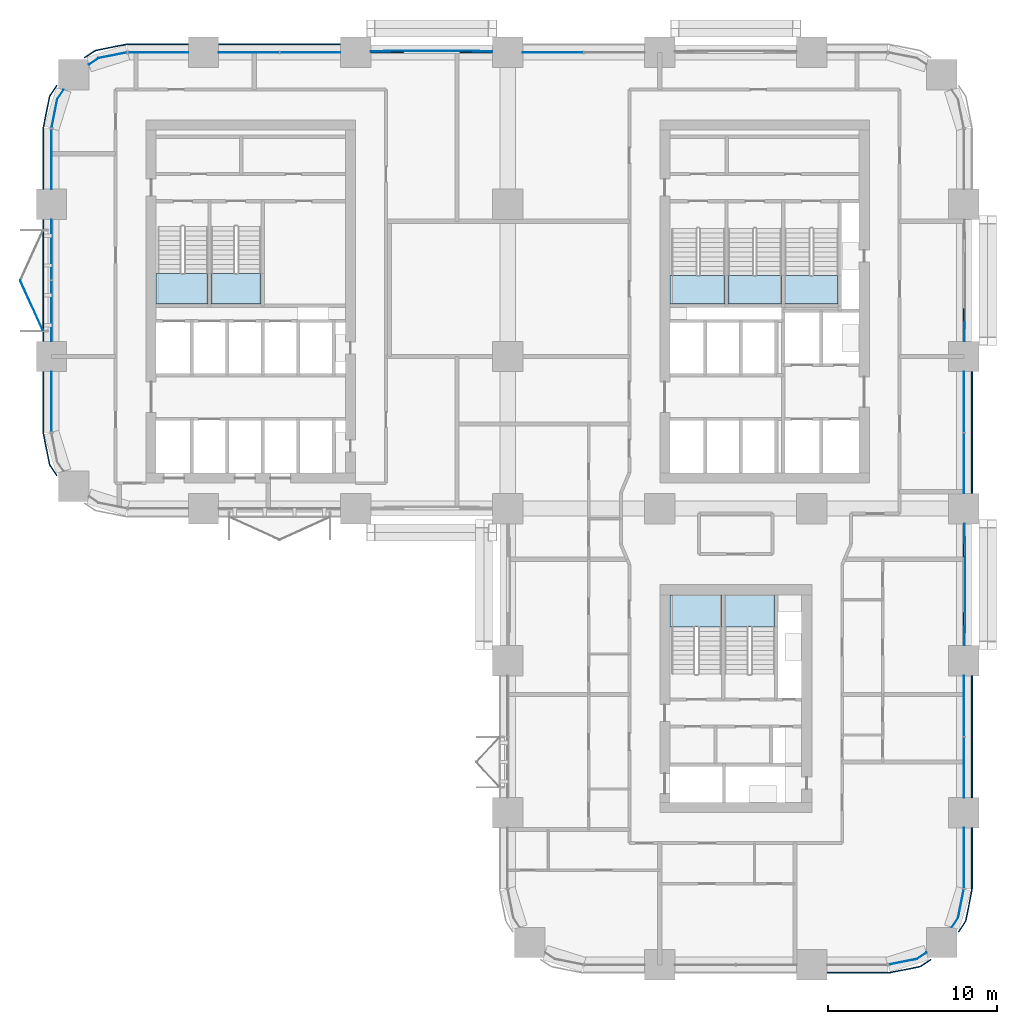
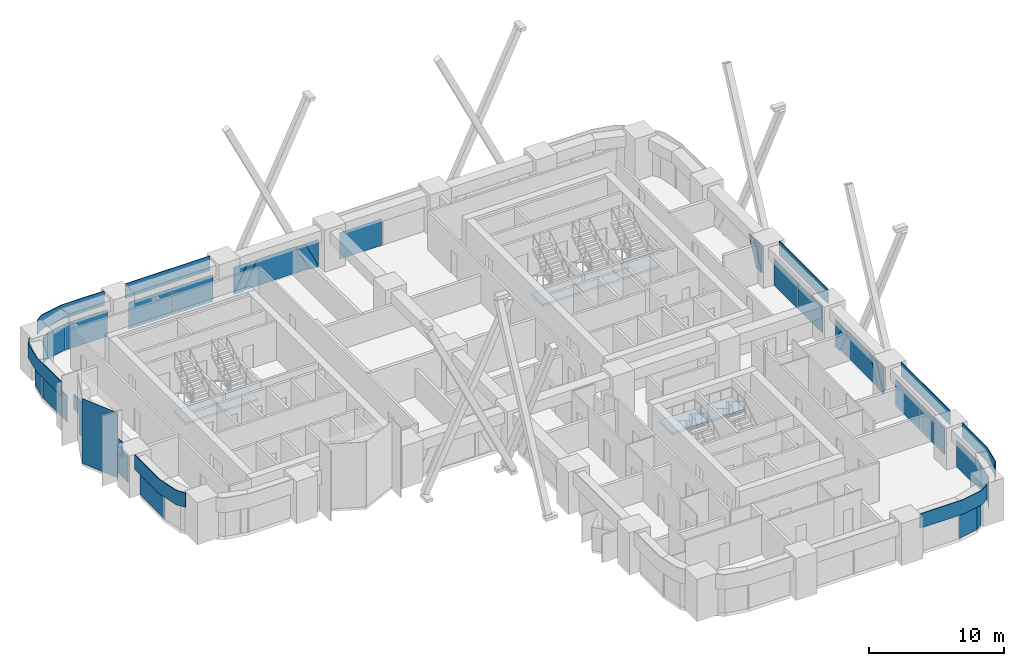
# One storey, part 10 of 19: 39 plates, 7 slabs, 20 elements without a shape of their own.
"""IFC4 building model written with IfcOpenShell, lengths in metres."""

from ifc_helpers import new_model, si_unit, direction, frame, origin, origin_2d, place, context, subcontext, project, spatial, polyline, rectangle, outline, extrude, material, layer, layer_set, type_object, element, aggregate, save


model = new_model("IFC4")

# Units and contexts
model_context = context("Model", 3, precision=1e-05, world=origin(), true_north=direction((0.0, 1.0)))
body_context = subcontext(model_context, "Body", "Model", "MODEL_VIEW")
ifc_project = project(units=[si_unit("LENGTHUNIT", "METRE"), si_unit("AREAUNIT", "SQUARE_METRE"), si_unit("VOLUMEUNIT", "CUBIC_METRE"), si_unit("PLANEANGLEUNIT", "RADIAN"), si_unit("MASSUNIT", "GRAM", prefix="KILO")], contexts=[model_context])

# Site, building, storey
site_placement = place(None, origin())
site = spatial("IfcSite", under=ifc_project, at=site_placement, CompositionType="ELEMENT")
building_placement = place(site_placement, origin())
building = spatial("IfcBuilding", under=site, at=building_placement, Name="Tessera Arch", CompositionType="ELEMENT")
storey_placement = place(building_placement, frame((0.0, 0.0, 108.199951171875)))
storey = spatial("IfcBuildingStorey", under=building, at=storey_placement, Name="L25", CompositionType="ELEMENT", Elevation=108.199951171875)

# Curtain wall, plate
ifc_material_1 = material(Name="CW1 curtain wall")
curtain_wall_type_1 = type_object("IfcCurtainWallType", Name="CW1 curtain wall", PredefinedType="NOTDEFINED", material=ifc_material_1)
curtain_wall_1_placement = place(storey_placement, origin())
curtain_wall_1 = element("IfcCurtainWall", 1, at=curtain_wall_1_placement, inside=storey, type_object=curtain_wall_type_1, Name="CW1 curtain wall N54.0/1 L25", PredefinedType="NOTDEFINED")
ifc_material_2 = material(Name="Clear low-e glass", Category="glass")
ifc_material_3 = material(Name="Clear low-e glass", Category="glass")
ifc_layer_1 = layer(ifc_material_3, 0.028076171875)
ifc_layer_set_1 = layer_set([ifc_layer_1], Name="CW1 glass panel")
plate_type_1 = type_object("IfcPlateType", Name="CW1 glass panel", PredefinedType="CURTAIN_PANEL", material=ifc_layer_set_1)
plate_1_placement = place(storey_placement, frame((29.68505859375, 54.0, 0.0), z_axis=(0.0, 0.0, 1.0), x_axis=(-1.0, 0.0, 0.0)))
plate_1 = element("IfcPlate", 2, at=plate_1_placement, type_object=plate_type_1, material=ifc_material_2, Name="CW1 glass panel N54.0/1 1.2.1", PredefinedType="CURTAIN_PANEL", context=body_context, shape_type="SweptSolid", body=[
    extrude(rectangle(XDim=3.570068359375, YDim=0.028076171875, at=origin_2d()), origin(), (0.0, 0.0, 1.0), 2.39990234375),
])
aggregate(curtain_wall_1, [plate_1])

# Curtain wall, plates
curtain_wall_2_placement = place(storey_placement, origin())
curtain_wall_2 = element("IfcCurtainWall", 3, at=curtain_wall_2_placement, inside=storey, type_object=curtain_wall_type_1, Name="CW1 curtain wall N54.0/3 L25", PredefinedType="NOTDEFINED")
plate_2_placement = place(storey_placement, frame((15.31494140625, 54.0, 0.0), z_axis=(0.0, 0.0, 1.0), x_axis=(-1.0, 0.0, 0.0)))
plate_2 = element("IfcPlate", 4, at=plate_2_placement, type_object=plate_type_1, material=ifc_material_2, Name="CW1 glass panel N54.0/3 1.1.1", PredefinedType="CURTAIN_PANEL", context=body_context, shape_type="SweptSolid", body=[
    extrude(rectangle(XDim=3.570068359375, YDim=0.028076171875, at=origin_2d()), origin(), (0.0, 0.0, 1.0), 2.39990234375),
])
plate_3_placement = place(storey_placement, frame((11.68505859375, 54.0, 0.0), z_axis=(0.0, 0.0, 1.0), x_axis=(-1.0, 0.0, 0.0)))
plate_3 = element("IfcPlate", 5, at=plate_3_placement, type_object=plate_type_1, material=ifc_material_2, Name="CW1 glass panel N54.0/3 1.2.1", PredefinedType="CURTAIN_PANEL", context=body_context, shape_type="SweptSolid", body=[
    extrude(rectangle(XDim=3.570068359375, YDim=0.028076171875, at=origin_2d()), origin(), (0.0, 0.0, 1.0), 2.39990234375),
])

curtain_wall_3_placement = place(storey_placement, origin())
curtain_wall_3 = element("IfcCurtainWall", 6, at=curtain_wall_3_placement, inside=storey, type_object=curtain_wall_type_1, Name="CW1 curtain wall W0.27/1 L25", PredefinedType="NOTDEFINED")
plate_4_placement = place(storey_placement, frame((0.0, 42.31494140625, 0.0), z_axis=(0.0, 0.0, 1.0), x_axis=(0.0, -1.0, 0.0)))
plate_4 = element("IfcPlate", 7, at=plate_4_placement, type_object=plate_type_1, material=ifc_material_2, Name="CW1 glass panel W0.27/1 1.1.1", PredefinedType="CURTAIN_PANEL", context=body_context, shape_type="SweptSolid", body=[
    extrude(rectangle(XDim=3.570068359375, YDim=0.028076171875, at=origin_2d()), origin(), (0.0, 0.0, 1.0), 2.39990234375),
])
plate_5_placement = place(storey_placement, frame((0.0, 38.68505859375, 0.0), z_axis=(0.0, 0.0, 1.0), x_axis=(0.0, -1.0, 0.0)))
plate_5 = element("IfcPlate", 8, at=plate_5_placement, type_object=plate_type_1, material=ifc_material_2, Name="CW1 glass panel W0.27/1 1.2.1", PredefinedType="CURTAIN_PANEL", context=body_context, shape_type="SweptSolid", body=[
    extrude(rectangle(XDim=3.570068359375, YDim=0.028076171875, at=origin_2d()), origin(), (0.0, 0.0, 1.0), 2.39990234375),
])

curtain_wall_4_placement = place(storey_placement, origin())
curtain_wall_4 = element("IfcCurtainWall", 9, at=curtain_wall_4_placement, inside=storey, type_object=curtain_wall_type_1, Name="CW1 curtain wall E54.0/1 L25", PredefinedType="NOTDEFINED")
plate_6_placement = place(storey_placement, frame((54.0, 11.68505859375, 0.0), z_axis=(0.0, 0.0, 1.0), x_axis=(0.0, 1.0, 0.0)))
plate_6 = element("IfcPlate", 10, at=plate_6_placement, type_object=plate_type_1, material=ifc_material_2, Name="CW1 glass panel E54.0/1 1.1.1", PredefinedType="CURTAIN_PANEL", context=body_context, shape_type="SweptSolid", body=[
    extrude(rectangle(XDim=3.570068359375, YDim=0.028076171875, at=origin_2d()), origin(), (0.0, 0.0, 1.0), 2.39990234375),
])
plate_7_placement = place(storey_placement, frame((54.0, 15.31494140625, 0.0), z_axis=(0.0, 0.0, 1.0), x_axis=(0.0, 1.0, 0.0)))
plate_7 = element("IfcPlate", 11, at=plate_7_placement, type_object=plate_type_1, material=ifc_material_2, Name="CW1 glass panel E54.0/1 1.2.1", PredefinedType="CURTAIN_PANEL", context=body_context, shape_type="SweptSolid", body=[
    extrude(rectangle(XDim=3.570068359375, YDim=0.028076171875, at=origin_2d()), origin(), (0.0, 0.0, 1.0), 2.39990234375),
])

curtain_wall_5_placement = place(storey_placement, origin())
curtain_wall_5 = element("IfcCurtainWall", 12, at=curtain_wall_5_placement, inside=storey, type_object=curtain_wall_type_1, Name="CW1 curtain wall E54.0/3 L25", PredefinedType="NOTDEFINED")
plate_8_placement = place(storey_placement, frame((54.0, 29.68505859375, 0.0), z_axis=(0.0, 0.0, 1.0), x_axis=(0.0, 1.0, 0.0)))
plate_8 = element("IfcPlate", 13, at=plate_8_placement, type_object=plate_type_1, material=ifc_material_2, Name="CW1 glass panel E54.0/3 1.1.1", PredefinedType="CURTAIN_PANEL", context=body_context, shape_type="SweptSolid", body=[
    extrude(rectangle(XDim=3.570068359375, YDim=0.028076171875, at=origin_2d()), origin(), (0.0, 0.0, 1.0), 2.39990234375),
])
plate_9_placement = place(storey_placement, frame((54.0, 33.31494140625, 0.0), z_axis=(0.0, 0.0, 1.0), x_axis=(0.0, 1.0, 0.0)))
plate_9 = element("IfcPlate", 14, at=plate_9_placement, type_object=plate_type_1, material=ifc_material_2, Name="CW1 glass panel E54.0/3 1.2.1", PredefinedType="CURTAIN_PANEL", context=body_context, shape_type="SweptSolid", body=[
    extrude(rectangle(XDim=3.570068359375, YDim=0.028076171875, at=origin_2d()), origin(), (0.0, 0.0, 1.0), 2.39990234375),
])

# Plate
ifc_material_4 = material(Name="Pale anodised aluminium panel", Category="aluminium")
ifc_layer_2 = layer(ifc_material_4, 0.06005859375)
ifc_layer_set_2 = layer_set([ifc_layer_2], Name="CW1 spandrel panel")
plate_type_2 = type_object("IfcPlateType", Name="CW1 spandrel panel", PredefinedType="CURTAIN_PANEL", material=ifc_layer_set_2)
plate_10_placement = place(storey_placement, frame((13.5, 54.47998046875, 2.5), z_axis=(0.0, 0.0, 1.0), x_axis=(-1.0, 0.0, 0.0)))
plate_10 = element("IfcPlate", 15, at=plate_10_placement, type_object=plate_type_2, Name="CW1 spandrel panel N54.0/3", PredefinedType="CURTAIN_PANEL", context=body_context, shape_type="SweptSolid", body=[
    extrude(rectangle(XDim=7.199951171875, YDim=0.06005859375, at=origin_2d()), origin(), (0.0, 0.0, 1.0), 1.300048828125),
])

aggregate(curtain_wall_2, [plate_2, plate_3, plate_10])

plate_11_placement = place(storey_placement, frame((-0.47998046875, 40.5, 2.5), z_axis=(0.0, 0.0, 1.0), x_axis=(0.0, -1.0, 0.0)))
plate_11 = element("IfcPlate", 16, at=plate_11_placement, type_object=plate_type_2, Name="CW1 spandrel panel W0.27/1", PredefinedType="CURTAIN_PANEL", context=body_context, shape_type="SweptSolid", body=[
    extrude(rectangle(XDim=7.199951171875, YDim=0.06005859375, at=origin_2d()), origin(), (0.0, 0.0, 1.0), 1.300048828125),
])

aggregate(curtain_wall_3, [plate_4, plate_5, plate_11])

plate_12_placement = place(storey_placement, frame((54.47998046875, 13.5, 2.5), z_axis=(0.0, 0.0, 1.0), x_axis=(0.0, 1.0, 0.0)))
plate_12 = element("IfcPlate", 17, at=plate_12_placement, type_object=plate_type_2, Name="CW1 spandrel panel E54.0/1", PredefinedType="CURTAIN_PANEL", context=body_context, shape_type="SweptSolid", body=[
    extrude(rectangle(XDim=7.199951171875, YDim=0.06005859375, at=origin_2d()), origin(), (0.0, 0.0, 1.0), 1.300048828125),
])

aggregate(curtain_wall_4, [plate_6, plate_7, plate_12])

plate_13_placement = place(storey_placement, frame((54.47998046875, 31.5, 2.5), z_axis=(0.0, 0.0, 1.0), x_axis=(0.0, 1.0, 0.0)))
plate_13 = element("IfcPlate", 18, at=plate_13_placement, type_object=plate_type_2, Name="CW1 spandrel panel E54.0/3", PredefinedType="CURTAIN_PANEL", context=body_context, shape_type="SweptSolid", body=[
    extrude(rectangle(XDim=7.199951171875, YDim=0.06005859375, at=origin_2d()), origin(), (0.0, 0.0, 1.0), 1.300048828125),
])

aggregate(curtain_wall_5, [plate_8, plate_9, plate_13])

# Curtain wall, plates
ifc_material_5 = material(Name="CW2 curtain wall")
curtain_wall_type_2 = type_object("IfcCurtainWallType", Name="CW2 curtain wall", PredefinedType="NOTDEFINED", material=ifc_material_5)
curtain_wall_6_placement = place(storey_placement, origin())
curtain_wall_6 = element("IfcCurtainWall", 19, at=curtain_wall_6_placement, inside=storey, type_object=curtain_wall_type_2, Name="CW2 curtain wall N54.0/4 L25", PredefinedType="NOTDEFINED")
ifc_material_6 = material(Name="Clear low-e glass", Category="glass")
ifc_layer_3 = layer(ifc_material_6, 0.028076171875)
ifc_layer_set_3 = layer_set([ifc_layer_3], Name="CW2 glass panel")
plate_type_3 = type_object("IfcPlateType", Name="CW2 glass panel", PredefinedType="CURTAIN_PANEL", material=ifc_layer_set_3)
plate_14_placement = place(storey_placement, frame((6.320068359375, 54.0, 0.0), z_axis=(0.0, 0.0, 1.0), x_axis=(-1.0, 0.0, 0.0)))
plate_14 = element("IfcPlate", 20, at=plate_14_placement, type_object=plate_type_3, material=ifc_material_2, Name="CW2 glass panel N54.0/4 1.1", PredefinedType="CURTAIN_PANEL", context=body_context, shape_type="SweptSolid", body=[
    extrude(rectangle(XDim=3.56005859375, YDim=0.028076171875, at=origin_2d()), origin(), (0.0, 0.0, 1.0), 2.39990234375),
])
plate_15_placement = place(storey_placement, origin())
plate_15 = element("IfcPlate", 21, at=plate_15_placement, type_object=plate_type_3, material=ifc_material_2, Name="CW2 curved glass panel N54.0/4 2.1", PredefinedType="CURTAIN_PANEL", context=body_context, shape_type="SweptSolid", body=[
    extrude(outline(polyline([(2.783447265625, 53.644287109375), (4.46337890625, 53.978515625), (4.4580078125, 54.005859375), (2.7724609375, 53.670654296875), (2.210205078125, 53.294921875), (2.225830078125, 53.271728515625), (2.783447265625, 53.644287109375)])), origin(), (0.0, 0.0, 1.0), 2.400146484375),
])

curtain_wall_7_placement = place(storey_placement, origin())
curtain_wall_7 = element("IfcCurtainWall", 22, at=curtain_wall_7_placement, inside=storey, type_object=curtain_wall_type_2, Name="CW2 curtain wall W0.27/0 L25", PredefinedType="NOTDEFINED")
plate_16_placement = place(storey_placement, frame((0.0, 47.679931640625, 0.0), z_axis=(0.0, 0.0, 1.0), x_axis=(0.0, -1.0, 0.0)))
plate_16 = element("IfcPlate", 23, at=plate_16_placement, type_object=plate_type_3, material=ifc_material_2, Name="CW2 glass panel W0.27/0 1.1", PredefinedType="CURTAIN_PANEL", context=body_context, shape_type="SweptSolid", body=[
    extrude(rectangle(XDim=3.56005859375, YDim=0.028076171875, at=origin_2d()), origin(), (0.0, 0.0, 1.0), 2.39990234375),
])
plate_17_placement = place(storey_placement, origin())
plate_17 = element("IfcPlate", 24, at=plate_17_placement, type_object=plate_type_3, material=ifc_material_2, Name="CW2 curved glass panel W0.27/0 2.1", PredefinedType="CURTAIN_PANEL", context=body_context, shape_type="SweptSolid", body=[
    extrude(outline(polyline([(0.355712890625, 51.216552734375), (0.728271484375, 51.774169921875), (0.705078125, 51.789794921875), (0.329345703125, 51.2275390625), (-0.005859375, 49.5419921875), (0.021484375, 49.53662109375), (0.355712890625, 51.216552734375)])), origin(), (0.0, 0.0, 1.0), 2.400146484375),
])

# Curtain wall, plate
curtain_wall_8_placement = place(storey_placement, origin())
curtain_wall_8 = element("IfcCurtainWall", 25, at=curtain_wall_8_placement, inside=storey, type_object=curtain_wall_type_2, Name="CW2 curtain wall W0.27/2 L25", PredefinedType="NOTDEFINED")
plate_18_placement = place(storey_placement, frame((0.0, 33.320068359375, 0.0), z_axis=(0.0, 0.0, 1.0), x_axis=(0.0, -1.0, 0.0)))
plate_18 = element("IfcPlate", 26, at=plate_18_placement, type_object=plate_type_3, material=ifc_material_2, Name="CW2 glass panel W0.27/2 1.1", PredefinedType="CURTAIN_PANEL", context=body_context, shape_type="SweptSolid", body=[
    extrude(rectangle(XDim=3.56005859375, YDim=0.028076171875, at=origin_2d()), origin(), (0.0, 0.0, 1.0), 2.39990234375),
])

curtain_wall_9_placement = place(storey_placement, origin())
curtain_wall_9 = element("IfcCurtainWall", 27, at=curtain_wall_9_placement, inside=storey, type_object=curtain_wall_type_2, Name="CW2 curtain wall S0.27/2 L25", PredefinedType="NOTDEFINED")
plate_19_placement = place(storey_placement, origin())
plate_19 = element("IfcPlate", 28, at=plate_19_placement, type_object=plate_type_3, material=ifc_material_2, Name="CW2 curved glass panel S0.27/2 2.1", PredefinedType="CURTAIN_PANEL", context=body_context, shape_type="SweptSolid", body=[
    extrude(outline(polyline([(51.216552734375, 0.355712890625), (49.53662109375, 0.021484375), (49.5419921875, -0.005859375), (51.2275390625, 0.329345703125), (51.789794921875, 0.705078125), (51.774169921875, 0.728271484375), (51.216552734375, 0.355712890625)])), origin(), (0.0, 0.0, 1.0), 2.400146484375),
])

# Curtain wall, plates
curtain_wall_10_placement = place(storey_placement, origin())
curtain_wall_10 = element("IfcCurtainWall", 29, at=curtain_wall_10_placement, inside=storey, type_object=curtain_wall_type_2, Name="CW2 curtain wall E54.0/0 L25", PredefinedType="NOTDEFINED")
plate_20_placement = place(storey_placement, frame((54.0, 6.320068359375, 0.0), z_axis=(0.0, 0.0, 1.0), x_axis=(0.0, 1.0, 0.0)))
plate_20 = element("IfcPlate", 30, at=plate_20_placement, type_object=plate_type_3, material=ifc_material_2, Name="CW2 glass panel E54.0/0 1.1", PredefinedType="CURTAIN_PANEL", context=body_context, shape_type="SweptSolid", body=[
    extrude(rectangle(XDim=3.56005859375, YDim=0.028076171875, at=origin_2d()), origin(), (0.0, 0.0, 1.0), 2.39990234375),
])
plate_21_placement = place(storey_placement, origin())
plate_21 = element("IfcPlate", 31, at=plate_21_placement, type_object=plate_type_3, material=ifc_material_2, Name="CW2 curved glass panel E54.0/0 2.1", PredefinedType="CURTAIN_PANEL", context=body_context, shape_type="SweptSolid", body=[
    extrude(outline(polyline([(53.644287109375, 2.783447265625), (53.271728515625, 2.225830078125), (53.294921875, 2.210205078125), (53.670654296875, 2.7724609375), (54.005859375, 4.4580078125), (53.978515625, 4.46337890625), (53.644287109375, 2.783447265625)])), origin(), (0.0, 0.0, 1.0), 2.400146484375),
])

# Plate
ifc_material_7 = material(Name="Pale anodised aluminium panel", Category="aluminium")
ifc_layer_4 = layer(ifc_material_7, 0.06005859375)
ifc_layer_set_4 = layer_set([ifc_layer_4], Name="CW2 spandrel panel")
plate_type_4 = type_object("IfcPlateType", Name="CW2 spandrel panel", PredefinedType="CURTAIN_PANEL", material=ifc_layer_set_4)
plate_22_placement = place(storey_placement, frame((0.0, 0.0, 2.5)))
plate_22 = element("IfcPlate", 32, at=plate_22_placement, type_object=plate_type_4, Name="CW2 spandrel panel N54.0/4", PredefinedType="CURTAIN_PANEL", context=body_context, shape_type="SweptSolid", body=[
    extrude(outline(polyline([(4.500732421875, 54.449951171875), (8.10009765625, 54.449951171875), (8.10009765625, 54.510009765625), (4.499267578125, 54.510009765625), (4.449951171875, 54.507568359375), (4.401123046875, 54.500244140625), (2.677734375, 54.157470703125), (2.6298828125, 54.1455078125), (2.582763671875, 54.128662109375), (2.537353515625, 54.107177734375), (2.4951171875, 54.08203125), (1.9345703125, 53.707275390625), (1.968017578125, 53.657470703125), (2.52734375, 54.03125), (2.565673828125, 54.05419921875), (2.605712890625, 54.0732421875), (2.647216796875, 54.088134765625), (2.69091796875, 54.09912109375), (4.411376953125, 54.441162109375), (4.455810546875, 54.44775390625), (4.500732421875, 54.449951171875)])), origin(), (0.0, 0.0, 1.0), 1.300048828125),
])

aggregate(curtain_wall_6, [plate_14, plate_15, plate_22])

plate_23_placement = place(storey_placement, frame((0.0, 0.0, 2.5)))
plate_23 = element("IfcPlate", 33, at=plate_23_placement, type_object=plate_type_4, Name="CW2 spandrel panel W0.27/0", PredefinedType="CURTAIN_PANEL", context=body_context, shape_type="SweptSolid", body=[
    extrude(outline(polyline([(-0.03125, 51.47265625), (0.342529296875, 52.031982421875), (0.292724609375, 52.0654296875), (-0.08203125, 51.5048828125), (-0.107177734375, 51.462646484375), (-0.128662109375, 51.417236328125), (-0.1455078125, 51.3701171875), (-0.157470703125, 51.322265625), (-0.500244140625, 49.598876953125), (-0.507568359375, 49.550048828125), (-0.510009765625, 49.500732421875), (-0.510009765625, 45.89990234375), (-0.449951171875, 45.89990234375), (-0.449951171875, 49.499267578125), (-0.44775390625, 49.544189453125), (-0.441162109375, 49.588623046875), (-0.09912109375, 51.30908203125), (-0.088134765625, 51.352783203125), (-0.0732421875, 51.394287109375), (-0.05419921875, 51.434326171875), (-0.03125, 51.47265625)])), origin(), (0.0, 0.0, 1.0), 1.300048828125),
])

aggregate(curtain_wall_7, [plate_16, plate_17, plate_23])

plate_24_placement = place(storey_placement, frame((0.0, 0.0, 2.5)))
plate_24 = element("IfcPlate", 34, at=plate_24_placement, type_object=plate_type_4, Name="CW2 spandrel panel W0.27/2", PredefinedType="CURTAIN_PANEL", context=body_context, shape_type="SweptSolid", body=[
    extrude(outline(polyline([(-0.449951171875, 31.500732421875), (-0.449951171875, 35.10009765625), (-0.510009765625, 35.10009765625), (-0.510009765625, 31.499267578125), (-0.507568359375, 31.449951171875), (-0.500244140625, 31.401123046875), (-0.157470703125, 29.677734375), (-0.1455078125, 29.6298828125), (-0.128662109375, 29.582763671875), (-0.107177734375, 29.537353515625), (-0.08203125, 29.4951171875), (0.292724609375, 28.9345703125), (0.342529296875, 28.968017578125), (-0.03125, 29.52734375), (-0.05419921875, 29.565673828125), (-0.0732421875, 29.605712890625), (-0.088134765625, 29.647216796875), (-0.09912109375, 29.69091796875), (-0.441162109375, 31.411376953125), (-0.44775390625, 31.455810546875), (-0.449951171875, 31.500732421875)])), origin(), (0.0, 0.0, 1.0), 1.300048828125),
])

aggregate(curtain_wall_8, [plate_18, plate_24])

plate_25_placement = place(storey_placement, frame((0.0, 0.0, 2.5)))
plate_25 = element("IfcPlate", 35, at=plate_25_placement, type_object=plate_type_4, Name="CW2 spandrel panel S0.27/2", PredefinedType="CURTAIN_PANEL", context=body_context, shape_type="SweptSolid", body=[
    extrude(outline(polyline([(49.499267578125, -0.449951171875), (45.89990234375, -0.449951171875), (45.89990234375, -0.510009765625), (49.500732421875, -0.510009765625), (49.550048828125, -0.507568359375), (49.598876953125, -0.500244140625), (51.322265625, -0.157470703125), (51.3701171875, -0.1455078125), (51.417236328125, -0.128662109375), (51.462646484375, -0.107177734375), (51.5048828125, -0.08203125), (52.0654296875, 0.292724609375), (52.031982421875, 0.342529296875), (51.47265625, -0.03125), (51.434326171875, -0.05419921875), (51.394287109375, -0.0732421875), (51.352783203125, -0.088134765625), (51.30908203125, -0.09912109375), (49.588623046875, -0.441162109375), (49.544189453125, -0.44775390625), (49.499267578125, -0.449951171875)])), origin(), (0.0, 0.0, 1.0), 1.300048828125),
])

aggregate(curtain_wall_9, [plate_19, plate_25])

plate_26_placement = place(storey_placement, frame((0.0, 0.0, 2.5)))
plate_26 = element("IfcPlate", 36, at=plate_26_placement, type_object=plate_type_4, Name="CW2 spandrel panel E54.0/0", PredefinedType="CURTAIN_PANEL", context=body_context, shape_type="SweptSolid", body=[
    extrude(outline(polyline([(54.03125, 2.52734375), (53.657470703125, 1.968017578125), (53.707275390625, 1.9345703125), (54.08203125, 2.4951171875), (54.107177734375, 2.537353515625), (54.128662109375, 2.582763671875), (54.1455078125, 2.6298828125), (54.157470703125, 2.677734375), (54.500244140625, 4.401123046875), (54.507568359375, 4.449951171875), (54.510009765625, 4.499267578125), (54.510009765625, 8.10009765625), (54.449951171875, 8.10009765625), (54.449951171875, 4.500732421875), (54.44775390625, 4.455810546875), (54.441162109375, 4.411376953125), (54.09912109375, 2.69091796875), (54.088134765625, 2.647216796875), (54.0732421875, 2.605712890625), (54.05419921875, 2.565673828125), (54.03125, 2.52734375)])), origin(), (0.0, 0.0, 1.0), 1.300048828125),
])

aggregate(curtain_wall_10, [plate_20, plate_21, plate_26])

# Curtain wall, plates
ifc_material_8 = material(Name="CW3 curtain wall")
curtain_wall_type_3 = type_object("IfcCurtainWallType", Name="CW3 curtain wall", PredefinedType="NOTDEFINED", material=ifc_material_8)
curtain_wall_11_placement = place(storey_placement, origin())
curtain_wall_11 = element("IfcCurtainWall", 37, at=curtain_wall_11_placement, inside=storey, type_object=curtain_wall_type_3, Name="CW3 curtain wall N54.0/2 L25", PredefinedType="NOTDEFINED")
ifc_material_9 = material(Name="Pale anodised aluminium panel", Category="aluminium")
ifc_layer_5 = layer(ifc_material_9, 0.06005859375)
ifc_layer_set_5 = layer_set([ifc_layer_5], Name="CW3 diagonal panel")
plate_type_5 = type_object("IfcPlateType", Name="CW3 diagonal panel", PredefinedType="CURTAIN_PANEL", material=ifc_layer_set_5)
plate_27_placement = place(storey_placement, frame((18.89990234375, 54.030029296875, 0.0), z_axis=(0.0, 1.0, 0.0), x_axis=(0.0, 0.0, 1.0)))
plate_27 = element("IfcPlate", 38, at=plate_27_placement, type_object=plate_type_5, Name="CW3 diagonal panel N54.0/2 1", PredefinedType="CURTAIN_PANEL", context=body_context, shape_type="SweptSolid", body=[
    extrude(outline(polyline([(0.0, 0.0), (0.033447265625, 0.0), (2.400146484375, 1.135986328125), (2.400146484375, 1.936279296875), (0.0, 0.7841796875), (0.0, 0.0)])), origin(), (0.0, 0.0, -1.0), 0.06005859375),
])
plate_28_placement = place(storey_placement, frame((24.163818359375, 54.030029296875, 2.400146484375), z_axis=(0.0, 1.0, 0.0), x_axis=(1.0, 0.0, 0.0)))
plate_28 = element("IfcPlate", 39, at=plate_28_placement, type_object=plate_type_5, Name="CW3 diagonal panel N54.0/2 2", PredefinedType="CURTAIN_PANEL", context=body_context, shape_type="SweptSolid", body=[
    extrude(outline(polyline([(0.0, 0.0), (0.80029296875, 0.0), (1.936279296875, 2.36669921875), (1.936279296875, 2.400146484375), (1.152099609375, 2.400146484375), (0.0, 0.0)])), origin(), (0.0, 0.0, -1.0), 0.06005859375),
])

curtain_wall_12_placement = place(storey_placement, origin())
curtain_wall_12 = element("IfcCurtainWall", 40, at=curtain_wall_12_placement, inside=storey, type_object=curtain_wall_type_3, Name="CW3 curtain wall E54.0/2 L25", PredefinedType="NOTDEFINED")
plate_29_placement = place(storey_placement, frame((54.030029296875, 26.10009765625, 0.0), z_axis=(1.0, 0.0, 0.0), x_axis=(0.0, 0.0, 1.0)))
plate_29 = element("IfcPlate", 41, at=plate_29_placement, type_object=plate_type_5, Name="CW3 diagonal panel E54.0/2 1", PredefinedType="CURTAIN_PANEL", context=body_context, shape_type="SweptSolid", body=[
    extrude(outline(polyline([(0.0, 0.0), (0.033447265625, 0.0), (2.400146484375, 1.135986328125), (2.400146484375, 1.936279296875), (0.0, 0.7841796875), (0.0, 0.0)])), origin(), (0.0, 0.0, -1.0), 0.06005859375),
])
plate_30_placement = place(storey_placement, frame((54.030029296875, 20.836181640625, 2.400146484375), z_axis=(1.0, 0.0, 0.0), x_axis=(0.0, -1.0, 0.0)))
plate_30 = element("IfcPlate", 42, at=plate_30_placement, type_object=plate_type_5, Name="CW3 diagonal panel E54.0/2 2", PredefinedType="CURTAIN_PANEL", context=body_context, shape_type="SweptSolid", body=[
    extrude(outline(polyline([(0.0, 0.0), (0.80029296875, 0.0), (1.936279296875, 2.36669921875), (1.936279296875, 2.400146484375), (1.152099609375, 2.400146484375), (0.0, 0.0)])), origin(), (0.0, 0.0, -1.0), 0.06005859375),
])

# Curtain wall, plate
curtain_wall_13_placement = place(storey_placement, origin())
curtain_wall_13 = element("IfcCurtainWall", 43, at=curtain_wall_13_placement, inside=storey, type_object=curtain_wall_type_3, Name="CW3 curtain wall E54.0/4 L25", PredefinedType="NOTDEFINED")
plate_31_placement = place(storey_placement, frame((54.030029296875, 38.836181640625, 2.400146484375), z_axis=(1.0, 0.0, 0.0), x_axis=(0.0, -1.0, 0.0)))
plate_31 = element("IfcPlate", 44, at=plate_31_placement, type_object=plate_type_5, Name="CW3 diagonal panel E54.0/4 2", PredefinedType="CURTAIN_PANEL", context=body_context, shape_type="SweptSolid", body=[
    extrude(outline(polyline([(0.0, 0.0), (0.80029296875, 0.0), (1.936279296875, 2.36669921875), (1.936279296875, 2.400146484375), (1.152099609375, 2.400146484375), (0.0, 0.0)])), origin(), (0.0, 0.0, -1.0), 0.06005859375),
])

# Plate
ifc_material_10 = material(Name="Clear low-e glass", Category="glass")
ifc_layer_6 = layer(ifc_material_10, 0.028076171875)
ifc_layer_set_6 = layer_set([ifc_layer_6], Name="CW3 glass panel")
plate_type_6 = type_object("IfcPlateType", Name="CW3 glass panel", PredefinedType="CURTAIN_PANEL", material=ifc_layer_set_6)
plate_32_placement = place(storey_placement, frame((26.10009765625, 54.05810546875, 2.400146484375), z_axis=(0.0, 1.0, 0.0), x_axis=(0.0, 0.0, -1.0)))
plate_32 = element("IfcPlate", 45, at=plate_32_placement, type_object=plate_type_6, material=ifc_material_2, Name="CW3 triangulated glass panel N54.0/2 1", PredefinedType="CURTAIN_PANEL", context=body_context, shape_type="SweptSolid", body=[
    extrude(outline(polyline([(0.0, 0.0), (2.36669921875, 0.0), (0.0, 1.135986328125), (0.0, 0.0)])), origin(), (0.0, 0.0, -1.0), 0.028076171875),
])

plate_33_placement = place(storey_placement, frame((20.836181640625, 54.0859375, 2.400146484375), z_axis=(0.0, 1.0, 0.0), x_axis=(1.0, 0.0, 0.0)))
plate_33 = element("IfcPlate", 46, at=plate_33_placement, type_object=plate_type_6, material=ifc_material_2, Name="CW3 triangulated glass panel N54.0/2 2", PredefinedType="CURTAIN_PANEL", context=body_context, shape_type="SweptSolid", body=[
    extrude(outline(polyline([(0.0, 0.0), (3.32763671875, 0.0), (4.479736328125, 2.400146484375), (-1.152099609375, 2.400146484375), (0.0, 0.0)])), origin(), (0.0, 0.0, -1.0), 0.028076171875),
])

plate_34_placement = place(storey_placement, frame((18.89990234375, 54.05810546875, 2.400146484375), z_axis=(0.0, 1.0, 0.0), x_axis=(1.0, 0.0, 0.0)))
plate_34 = element("IfcPlate", 47, at=plate_34_placement, type_object=plate_type_6, material=ifc_material_2, Name="CW3 triangulated glass panel N54.0/2 3", PredefinedType="CURTAIN_PANEL", context=body_context, shape_type="SweptSolid", body=[
    extrude(outline(polyline([(0.0, 0.0), (1.135986328125, 0.0), (0.0, 2.36669921875), (0.0, 0.0)])), origin(), (0.0, 0.0, -1.0), 0.028076171875),
])

aggregate(curtain_wall_11, [plate_32, plate_33, plate_34, plate_27, plate_28])

plate_35_placement = place(storey_placement, frame((54.05810546875, 18.89990234375, 2.400146484375), z_axis=(1.0, 0.0, 0.0), x_axis=(0.0, 0.0, -1.0)))
plate_35 = element("IfcPlate", 48, at=plate_35_placement, type_object=plate_type_6, material=ifc_material_2, Name="CW3 triangulated glass panel E54.0/2 1", PredefinedType="CURTAIN_PANEL", context=body_context, shape_type="SweptSolid", body=[
    extrude(outline(polyline([(0.0, 0.0), (2.36669921875, 0.0), (0.0, 1.135986328125), (0.0, 0.0)])), origin(), (0.0, 0.0, -1.0), 0.028076171875),
])

plate_36_placement = place(storey_placement, frame((54.0859375, 24.163818359375, 2.400146484375), z_axis=(1.0, 0.0, 0.0), x_axis=(0.0, -1.0, 0.0)))
plate_36 = element("IfcPlate", 49, at=plate_36_placement, type_object=plate_type_6, material=ifc_material_2, Name="CW3 triangulated glass panel E54.0/2 2", PredefinedType="CURTAIN_PANEL", context=body_context, shape_type="SweptSolid", body=[
    extrude(outline(polyline([(0.0, 0.0), (3.32763671875, 0.0), (4.479736328125, 2.400146484375), (-1.152099609375, 2.400146484375), (0.0, 0.0)])), origin(), (0.0, 0.0, -1.0), 0.028076171875),
])

plate_37_placement = place(storey_placement, frame((54.05810546875, 26.10009765625, 2.400146484375), z_axis=(1.0, 0.0, 0.0), x_axis=(0.0, -1.0, 0.0)))
plate_37 = element("IfcPlate", 50, at=plate_37_placement, type_object=plate_type_6, material=ifc_material_2, Name="CW3 triangulated glass panel E54.0/2 3", PredefinedType="CURTAIN_PANEL", context=body_context, shape_type="SweptSolid", body=[
    extrude(outline(polyline([(0.0, 0.0), (1.135986328125, 0.0), (0.0, 2.36669921875), (0.0, 0.0)])), origin(), (0.0, 0.0, -1.0), 0.028076171875),
])

aggregate(curtain_wall_12, [plate_35, plate_36, plate_37, plate_29, plate_30])

plate_38_placement = place(storey_placement, frame((54.05810546875, 36.89990234375, 2.400146484375), z_axis=(1.0, 0.0, 0.0), x_axis=(0.0, 0.0, -1.0)))
plate_38 = element("IfcPlate", 51, at=plate_38_placement, type_object=plate_type_6, material=ifc_material_2, Name="CW3 triangulated glass panel E54.0/4 1", PredefinedType="CURTAIN_PANEL", context=body_context, shape_type="SweptSolid", body=[
    extrude(outline(polyline([(0.0, 0.0), (2.36669921875, 0.0), (0.0, 1.135986328125), (0.0, 0.0)])), origin(), (0.0, 0.0, -1.0), 0.028076171875),
])

aggregate(curtain_wall_13, [plate_38, plate_31])

# Stair, slab
ifc_material_11 = material(Name="Concrete C40/50", Category="concrete")
stair_type_1 = type_object("IfcStairType", Name="Dogleg stair 1520", PredefinedType="HALF_TURN_STAIR", material=ifc_material_11)
stair_1_placement = place(storey_placement, origin())
stair_1 = element("IfcStair", 52, at=stair_1_placement, inside=storey, type_object=stair_type_1, Name="L25 S1a", PredefinedType="HALF_TURN_STAIR")
ifc_material_12 = material(Name="Concrete C40/50", Category="concrete")
ifc_layer_7 = layer(ifc_material_12, 0.300048828125)
ifc_layer_set_7 = layer_set([ifc_layer_7], Name="Stair landing 300")
slab_type = type_object("IfcSlabType", Name="Stair landing 300", PredefinedType="LANDING", material=ifc_layer_set_7)
slab_1_placement = place(storey_placement, frame((0.0, 0.0, 1.699951171875)))
slab_1 = element("IfcSlab", 53, at=slab_1_placement, type_object=slab_type, Name="S1a landing 1", PredefinedType="LANDING", context=body_context, shape_type="SweptSolid", body=[
    extrude(outline(polyline([(36.60009765625, 40.780029296875), (36.60009765625, 39.10009765625), (39.85009765625, 39.10009765625), (39.85009765625, 40.780029296875), (36.60009765625, 40.780029296875)])), origin(), (0.0, 0.0, 1.0), 0.2001953125),
])
aggregate(stair_1, [slab_1])

stair_2_placement = place(storey_placement, origin())
stair_2 = element("IfcStair", 54, at=stair_2_placement, inside=storey, type_object=stair_type_1, Name="L25 S1b", PredefinedType="HALF_TURN_STAIR")
slab_2_placement = place(storey_placement, frame((0.0, 0.0, 1.699951171875)))
slab_2 = element("IfcSlab", 55, at=slab_2_placement, type_object=slab_type, Name="S1b landing 1", PredefinedType="LANDING", context=body_context, shape_type="SweptSolid", body=[
    extrude(outline(polyline([(40.050048828125, 40.780029296875), (40.050048828125, 39.10009765625), (43.199951171875, 39.10009765625), (43.199951171875, 40.780029296875), (40.050048828125, 40.780029296875)])), origin(), (0.0, 0.0, 1.0), 0.2001953125),
])
aggregate(stair_2, [slab_2])

stair_3_placement = place(storey_placement, origin())
stair_3 = element("IfcStair", 56, at=stair_3_placement, inside=storey, type_object=stair_type_1, Name="L25 S1c", PredefinedType="HALF_TURN_STAIR")
slab_3_placement = place(storey_placement, frame((0.0, 0.0, 1.699951171875)))
slab_3 = element("IfcSlab", 57, at=slab_3_placement, type_object=slab_type, Name="S1c landing 1", PredefinedType="LANDING", context=body_context, shape_type="SweptSolid", body=[
    extrude(outline(polyline([(43.39990234375, 40.780029296875), (43.39990234375, 39.10009765625), (46.550048828125, 39.10009765625), (46.550048828125, 40.780029296875), (43.39990234375, 40.780029296875)])), origin(), (0.0, 0.0, 1.0), 0.2001953125),
])
aggregate(stair_3, [slab_3])

ifc_material_13 = material(Name="Concrete C40/50", Category="concrete")
stair_type_2 = type_object("IfcStairType", Name="Dogleg stair 1400", PredefinedType="HALF_TURN_STAIR", material=ifc_material_13)
stair_4_placement = place(storey_placement, origin())
stair_4 = element("IfcStair", 58, at=stair_4_placement, inside=storey, type_object=stair_type_2, Name="L25 S2a", PredefinedType="HALF_TURN_STAIR")
slab_4_placement = place(storey_placement, frame((0.0, 0.0, 1.699951171875)))
slab_4 = element("IfcSlab", 59, at=slab_4_placement, type_object=slab_type, Name="S2a landing 1", PredefinedType="LANDING", context=body_context, shape_type="SweptSolid", body=[
    extrude(outline(polyline([(6.199951171875, 40.89990234375), (6.199951171875, 39.10009765625), (9.25, 39.10009765625), (9.25, 40.89990234375), (6.199951171875, 40.89990234375)])), origin(), (0.0, 0.0, 1.0), 0.2001953125),
])
aggregate(stair_4, [slab_4])

stair_5_placement = place(storey_placement, origin())
stair_5 = element("IfcStair", 60, at=stair_5_placement, inside=storey, type_object=stair_type_2, Name="L25 S2b", PredefinedType="HALF_TURN_STAIR")
slab_5_placement = place(storey_placement, frame((0.0, 0.0, 1.699951171875)))
slab_5 = element("IfcSlab", 61, at=slab_5_placement, type_object=slab_type, Name="S2b landing 1", PredefinedType="LANDING", context=body_context, shape_type="SweptSolid", body=[
    extrude(outline(polyline([(9.449951171875, 40.89990234375), (9.449951171875, 39.10009765625), (12.39990234375, 39.10009765625), (12.39990234375, 40.89990234375), (9.449951171875, 40.89990234375)])), origin(), (0.0, 0.0, 1.0), 0.2001953125),
])
aggregate(stair_5, [slab_5])

stair_6_placement = place(storey_placement, origin())
stair_6 = element("IfcStair", 62, at=stair_6_placement, inside=storey, type_object=stair_type_2, Name="L25 S3a", PredefinedType="HALF_TURN_STAIR")
slab_6_placement = place(storey_placement, frame((0.0, 0.0, 1.699951171875)))
slab_6 = element("IfcSlab", 63, at=slab_6_placement, type_object=slab_type, Name="S3a landing 1", PredefinedType="LANDING", context=body_context, shape_type="SweptSolid", body=[
    extrude(outline(polyline([(39.64990234375, 20.0), (39.64990234375, 21.89990234375), (36.60009765625, 21.89990234375), (36.60009765625, 20.0), (39.64990234375, 20.0)])), origin(), (0.0, 0.0, 1.0), 0.2001953125),
])
aggregate(stair_6, [slab_6])

stair_7_placement = place(storey_placement, origin())
stair_7 = element("IfcStair", 64, at=stair_7_placement, inside=storey, type_object=stair_type_2, Name="L25 S3b", PredefinedType="HALF_TURN_STAIR")
slab_7_placement = place(storey_placement, frame((0.0, 0.0, 1.699951171875)))
slab_7 = element("IfcSlab", 65, at=slab_7_placement, type_object=slab_type, Name="S3b landing 1", PredefinedType="LANDING", context=body_context, shape_type="SweptSolid", body=[
    extrude(outline(polyline([(42.800048828125, 20.0), (42.800048828125, 21.89990234375), (39.85009765625, 21.89990234375), (39.85009765625, 20.0), (42.800048828125, 20.0)])), origin(), (0.0, 0.0, 1.0), 0.2001953125),
])
aggregate(stair_7, [slab_7])

# Plate
ifc_material_14 = material(Name="Clear low-e glass", Category="glass")
ifc_layer_8 = layer(ifc_material_14, 0.028076171875)
ifc_layer_set_8 = layer_set([ifc_layer_8], Name="Window box glass facet")
plate_type_7 = type_object("IfcPlateType", Name="Window box glass facet", PredefinedType="SHEET", material=ifc_layer_set_8)
plate_39_placement = place(storey_placement, frame((-1.179931640625, 39.02490234375, 0.22021484375), z_axis=(0.0, 0.0, 1.0), x_axis=(-0.413570397858, 0.910472144558, 0.0)))
element("IfcPlate", 66, at=plate_39_placement, inside=storey, type_object=plate_type_7, Name="Window box W0.27/1.0 2x2 glass", PredefinedType="SHEET", context=body_context, shape_type="SweptSolid", body=[
    extrude(rectangle(XDim=3.239990234375, YDim=0.028076171875, at=origin_2d()), origin(), (0.0, 0.0, 1.0), 5.860107421875),
])

save(model, "model.ifc")
